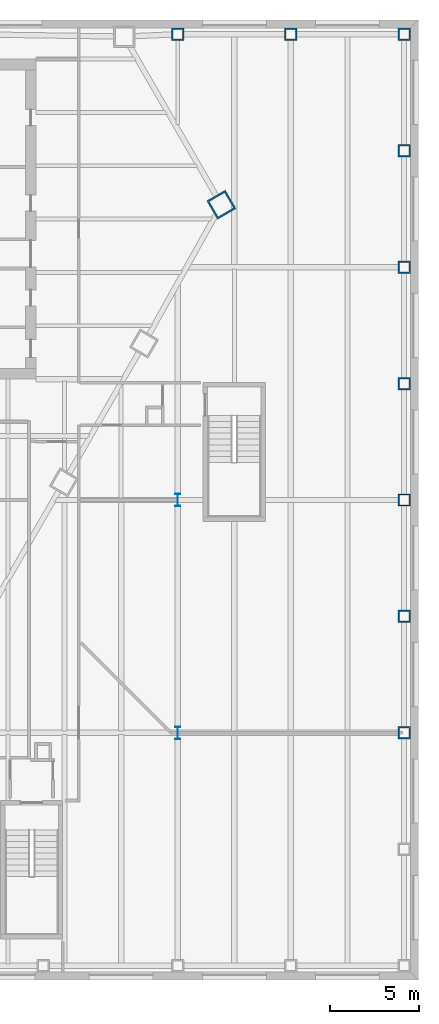
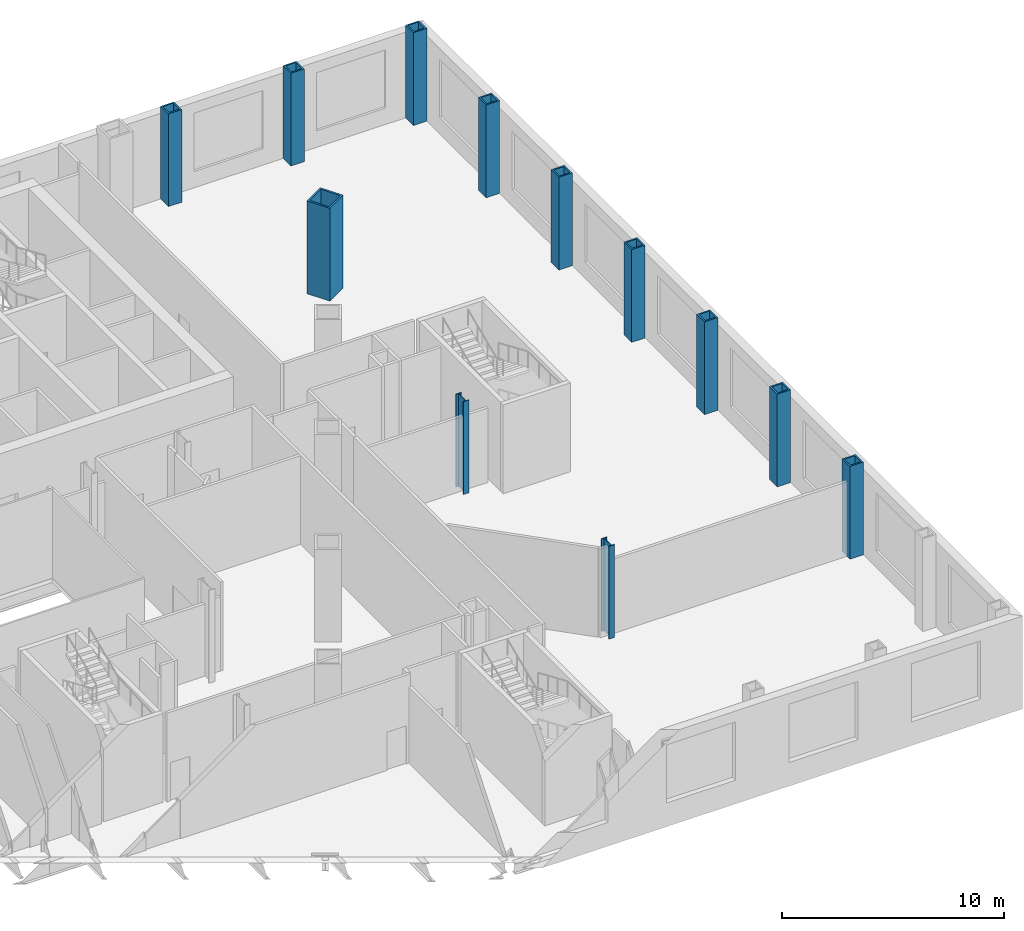
# One storey, part 3 of 21: 12 columns.
"""IFC4 building model written with IfcOpenShell, lengths in metres."""

import ifcopenshell
import ifcopenshell.guid

model = None  # the IFC model being written
_history = None  # IfcOwnerHistory: only IFC2X3 demands one
_inside = {}  # id of a spatial element -> (the spatial element, [elements in it])
_under = {}  # id of a project, library or spatial element -> (it, [spatial elements below it])
_declared = {}  # id of a project -> (the project, [libraries it declares])
_typed = {}  # id of a type object -> (the type object, [elements of that type])
_made_of = {}  # id of a material, layer set ... -> (it, [elements and type objects made of it])


def new_model(schema):
    """Start an empty IFC model of exactly this schema.

    Asked for "IFC4X3", IfcOpenShell would pick the latest addendum, in which some entities
    have other attributes; the version numbers below select the first issue.
    IFC2X3 requires an IfcOwnerHistory on every rooted entity: one is made here for all.
    """
    global model, _history
    if schema == "IFC4X3":
        model = ifcopenshell.file(schema_version=(4, 3, 0, 0))
    else:
        model = ifcopenshell.file(schema=schema)
    _inside.clear()
    _under.clear()
    _declared.clear()
    _typed.clear()
    _made_of.clear()
    _history = None
    if model.schema == "IFC2X3":
        org = make("IfcOrganization", Name="unknown")
        user = make(
            "IfcPersonAndOrganization",
            ThePerson=make("IfcPerson", FamilyName="unknown"),
            TheOrganization=org,
        )
        app = make(
            "IfcApplication",
            ApplicationDeveloper=org,
            Version="unknown",
            ApplicationFullName="unknown",
            ApplicationIdentifier="unknown",
        )
        _history = make(
            "IfcOwnerHistory",
            OwningUser=user,
            OwningApplication=app,
            ChangeAction="ADDED",
            CreationDate=0,
        )
    return model


def make(cls, **values):
    """One entity of the class cls with the attributes given. An attribute that is None is left unset."""
    return model.create_entity(
        cls, **{name: value for name, value in values.items() if value is not None}
    )


def rooted(cls, **values):
    """An entity with a GlobalId (a new one), such as an element, a storey or a relation."""
    return make(cls, GlobalId=ifcopenshell.guid.new(), OwnerHistory=_history, **values)


def si_unit(unit_type, name, prefix=None):
    """IfcSIUnit, for example si_unit("LENGTHUNIT", "METRE", prefix="MILLI")."""
    return make("IfcSIUnit", UnitType=unit_type, Prefix=prefix, Name=name)


def assignment(units):
    """IfcUnitAssignment: the units of a project."""
    return None if units is None else make("IfcUnitAssignment", Units=units)


def point(xyz):
    """IfcCartesianPoint."""
    return None if xyz is None else make("IfcCartesianPoint", Coordinates=xyz)


def direction(xyz):
    """IfcDirection."""
    return None if xyz is None else make("IfcDirection", DirectionRatios=xyz)


def frame(location, z_axis=None, x_axis=None):
    """IfcAxis2Placement3D, a coordinate frame: its origin and axes. An axis left out is left unset."""
    return make(
        "IfcAxis2Placement3D",
        Location=point(location),
        Axis=direction(z_axis),
        RefDirection=direction(x_axis),
    )


def frame_2d(location, x_axis=None):
    """IfcAxis2Placement2D, a coordinate frame in the plane: its origin and x axis."""
    return make(
        "IfcAxis2Placement2D", Location=point(location), RefDirection=direction(x_axis)
    )


def origin():
    """The frame at (0, 0, 0) with its axes left unset."""
    return frame((0.0, 0.0, 0.0))


def origin_2d():
    """The frame at (0, 0) in the plane with its x axis left unset."""
    return frame_2d((0.0, 0.0))


def place(relative_to, where):
    """IfcLocalPlacement: puts the frame where relative to a parent placement (None: the world)."""
    return make(
        "IfcLocalPlacement", PlacementRelTo=relative_to, RelativePlacement=where
    )


def context(
    kind, dimensions, precision=None, world=None, true_north=None, identifier=None
):
    """IfcGeometricRepresentationContext, for example the 3D "Model" context."""
    return make(
        "IfcGeometricRepresentationContext",
        ContextIdentifier=identifier,
        ContextType=kind,
        CoordinateSpaceDimension=dimensions,
        Precision=precision,
        WorldCoordinateSystem=world,
        TrueNorth=true_north,
    )


def subcontext(parent, identifier, kind, view, scale=None):
    """IfcGeometricRepresentationSubContext, for example "Body" below "Model"."""
    return make(
        "IfcGeometricRepresentationSubContext",
        ContextIdentifier=identifier,
        ContextType=kind,
        ParentContext=parent,
        TargetScale=scale,
        TargetView=view,
    )


def project(units=None, contexts=None):
    """IfcProject with its units and contexts."""
    return rooted(
        "IfcProject",
        Name="project",
        RepresentationContexts=contexts,
        UnitsInContext=assignment(units),
    )


def spatial(cls, under=None, at=None, **own):
    """A site, building, storey or space (cls), placed at a placement, below another one or the project."""
    s = rooted(cls, ObjectPlacement=at, **own)
    if under is not None:
        _under.setdefault(under.id(), (under, []))[1].append(s)
    return s


def profile(cls, at=None, kind="AREA", **sizes):
    """A parametric profile (cls). Its sizes go by their IFC names, for example OverallWidth=200.0."""
    return make(cls, ProfileType=kind, Position=at, **sizes)


def hollow_rectangle(**sizes):
    """IfcRectangleHollowProfileDef."""
    return profile("IfcRectangleHollowProfileDef", **sizes)


def i_section(**sizes):
    """IfcIShapeProfileDef."""
    return profile("IfcIShapeProfileDef", **sizes)


def extrude(swept, where, along, depth):
    """IfcExtrudedAreaSolid: the profile swept, set in the frame where, extruded along a direction by depth."""
    return make(
        "IfcExtrudedAreaSolid",
        SweptArea=swept,
        Position=where,
        ExtrudedDirection=direction(along),
        Depth=depth,
    )


def shape(context_of_items, identifier, shape_type, items):
    """IfcShapeRepresentation: the items that make up one representation, for example the "Body"."""
    return make(
        "IfcShapeRepresentation",
        ContextOfItems=context_of_items,
        RepresentationIdentifier=identifier,
        RepresentationType=shape_type,
        Items=items,
    )


def material(Name=None, Category=None):
    """IfcMaterial."""
    return make("IfcMaterial", Name=Name, Category=Category)


def material_profile(
    of_material, cross_section, Name=None, Category=None, Priority=None
):
    """IfcMaterialProfile: a cross section and its material."""
    return make(
        "IfcMaterialProfile",
        Name=Name,
        Material=of_material,
        Profile=cross_section,
        Priority=Priority,
        Category=Category,
    )


def profile_set(profiles, Name=None, composite=None):
    """IfcMaterialProfileSet."""
    return make(
        "IfcMaterialProfileSet",
        Name=Name,
        MaterialProfiles=profiles,
        CompositeProfile=composite,
    )


def made_of(thing, what):
    """Note that an element or type object is made of a material, layer set ...; save() writes the relation."""
    if what is not None:
        _made_of.setdefault(what.id(), (what, []))[1].append(thing)
    return thing


def type_object(cls, material=None, **own):
    """A type object (cls), such as IfcWallType, which elements share."""
    return made_of(rooted(cls, **own), material)


def element(
    cls,
    number,
    at=None,
    inside=None,
    cuts=None,
    type_object=None,
    material=None,
    context=None,
    identifier="Body",
    shape_type=None,
    held_by="IfcProductDefinitionShape",
    body=None,
    shapes=None,
    **own,
):
    """One element of the class cls, such as IfcWall. Its Tag is "e" and its number.

    at: its placement. inside: the storey or other place that contains it. cuts: it is an
    opening in that element (IfcRelVoidsElement). A single representation is given by context,
    identifier, shape_type and body (its items); several are given by shapes. held_by: the class
    of the entity that holds the representations. save() writes the other relations.
    """
    e = rooted(cls, Tag="e%d" % number, ObjectPlacement=at, **own)
    if body is not None:
        shapes = [shape(context, identifier, shape_type, body)]
    if shapes is not None:
        e.Representation = make(held_by, Representations=shapes)
    if inside is not None:
        _inside.setdefault(inside.id(), (inside, []))[1].append(e)
    if cuts is not None:
        rooted(
            "IfcRelVoidsElement", RelatingBuildingElement=cuts, RelatedOpeningElement=e
        )
    if type_object is not None:
        _typed.setdefault(type_object.id(), (type_object, []))[1].append(e)
    return made_of(e, material)


def aggregate(whole, parts):
    """IfcRelAggregates: a whole, such as a stair, and the parts it consists of."""
    return rooted("IfcRelAggregates", RelatingObject=whole, RelatedObjects=parts)


def save(model, path):
    """Write the relations noted so far, then the file.

    IfcRelAggregates (storeys below a building ...), IfcRelContainedInSpatialStructure (elements
    in a storey), IfcRelDefinesByType, IfcRelAssociatesMaterial and IfcRelDeclares: one each for
    every whole, place, type object, material and project.
    """
    for whole, parts in _under.values():
        aggregate(whole, parts)
    for where, things in _inside.values():
        rooted(
            "IfcRelContainedInSpatialStructure",
            RelatedElements=things,
            RelatingStructure=where,
        )
    for kind, things in _typed.values():
        rooted("IfcRelDefinesByType", RelatedObjects=things, RelatingType=kind)
    for what, things in _made_of.values():
        rooted("IfcRelAssociatesMaterial", RelatedObjects=things, RelatingMaterial=what)
    for by, libraries in _declared.values():
        rooted("IfcRelDeclares", RelatingContext=by, RelatedDefinitions=libraries)
    model.write(path)


model = new_model("IFC4")

# Units and contexts
model_context = context("Model", 3, precision=1e-05, world=origin(), true_north=direction((0.0, 1.0)))
body_context = subcontext(model_context, "Body", "Model", "MODEL_VIEW")
ifc_project = project(units=[si_unit("LENGTHUNIT", "METRE"), si_unit("AREAUNIT", "SQUARE_METRE"), si_unit("VOLUMEUNIT", "CUBIC_METRE"), si_unit("PLANEANGLEUNIT", "RADIAN"), si_unit("MASSUNIT", "GRAM", prefix="KILO")], contexts=[model_context])

# Site, building, storey
site_placement = place(None, origin())
site = spatial("IfcSite", under=ifc_project, at=site_placement, CompositionType="ELEMENT")
building_placement = place(site_placement, origin())
building = spatial("IfcBuilding", under=site, at=building_placement, Name="Njiva Tower", CompositionType="ELEMENT")
storey_placement = place(building_placement, frame((0.0, 0.0, 8.4)))
storey = spatial("IfcBuildingStorey", under=building, at=storey_placement, Name="L01", CompositionType="ELEMENT", Elevation=8.4)

# Columns
ifc_material = material(Name="Steel S355 J2", Category="steel")
ifc_material_profile_1 = material_profile(ifc_material, hollow_rectangle(XDim=1.2, YDim=1.2, WallThickness=0.1, at=origin_2d()), Name="BOX 1200x1200x100")
ifc_profile_set_1 = profile_set([ifc_material_profile_1], Name="Steel S355 J2")
column_type_1 = type_object("IfcColumnType", Name="C1 Mega-column BOX 1200x1200x100", PredefinedType="COLUMN", material=ifc_profile_set_1)
column_placement = place(storey_placement, frame((27.923, 9.808, 0.0), z_axis=(0.0, 0.0, 1.0), x_axis=(-0.5, 0.866025403784, 0.0)))
element("IfcColumn", 1, at=column_placement, inside=storey, type_object=column_type_1, Name="Mega-column L01-C18", PredefinedType="COLUMN", context=body_context, shape_type="SweptSolid", body=[
    extrude(hollow_rectangle(XDim=1.2, YDim=1.2, WallThickness=0.1, at=origin_2d()), origin(), (0.0, 0.0, 1.0), 5.1),
])
ifc_material_profile_2 = material_profile(ifc_material, hollow_rectangle(XDim=0.7, YDim=0.7, WallThickness=0.08, at=origin_2d()), Name="BOX 700x700x80")
ifc_profile_set_2 = profile_set([ifc_material_profile_2], Name="Steel S355 J2")
column_type_2 = type_object("IfcColumnType", Name="C3 Podium perimeter column BOX 700x700x80", PredefinedType="COLUMN", material=ifc_profile_set_2)
for number, where, z_axis, x_axis, name in (
    (2, (38.2, -19.9, 0.0), (0.0, 0.0, 1.0), (0.0, 1.0, 0.0), "Podium perimeter column L01-C29"),
    (3, (38.2, -13.35, 0.0), (0.0, 0.0, 1.0), (0.0, 1.0, 0.0), "Podium perimeter column L01-C30"),
    (4, (38.2, -6.8, 0.0), (0.0, 0.0, 1.0), (0.0, 1.0, 0.0), "Podium perimeter column L01-C31"),
    (5, (38.2, -0.25, 0.0), (0.0, 0.0, 1.0), (0.0, 1.0, 0.0), "Podium perimeter column L01-C32"),
    (6, (38.2, 6.3, 0.0), (0.0, 0.0, 1.0), (0.0, 1.0, 0.0), "Podium perimeter column L01-C33"),
    (7, (38.2, 12.85, 0.0), (0.0, 0.0, 1.0), (0.0, 1.0, 0.0), "Podium perimeter column L01-C34"),
    (8, (38.2, 19.4, 0.0), (0.0, 0.0, 1.0), (-1.0, 0.0, 0.0), "Podium perimeter column L01-C35"),
    (9, (31.833, 19.4, 0.0), (0.0, 0.0, 1.0), (-1.0, 0.0, 0.0), "Podium perimeter column L01-C36"),
    (10, (25.467, 19.4, 0.0), (0.0, 0.0, 1.0), (-1.0, 0.0, 0.0), "Podium perimeter column L01-C37"),
):
    element("IfcColumn", number, at=place(storey_placement, frame(where, z_axis=z_axis, x_axis=x_axis)), inside=storey, type_object=column_type_2, Name=name, PredefinedType="COLUMN", context=body_context, shape_type="SweptSolid", body=[
        extrude(hollow_rectangle(XDim=0.7, YDim=0.7, WallThickness=0.08, at=origin_2d()), origin(), (0.0, 0.0, 1.0), 5.1),
    ])
ifc_material_profile_3 = material_profile(ifc_material, i_section(OverallWidth=0.304, OverallDepth=0.716, WebThickness=0.021, FlangeThickness=0.04, at=origin_2d()), Name="HEM 700")
ifc_profile_set_3 = profile_set([ifc_material_profile_3], Name="Steel S355 J2")
column_type_3 = type_object("IfcColumnType", Name="C4 Station column HEM 700", PredefinedType="COLUMN", material=ifc_profile_set_3)
for number, where, z_axis, x_axis, name in (
    (11, (25.467, -6.8, 0.0), (0.0, 0.0, 1.0), (1.0, 0.0, 0.0), "Station column L01-C64"),
    (12, (25.467, -19.9, 0.0), (0.0, 0.0, 1.0), (1.0, 0.0, 0.0), "Station column L01-C65"),
):
    element("IfcColumn", number, at=place(storey_placement, frame(where, z_axis=z_axis, x_axis=x_axis)), inside=storey, type_object=column_type_3, Name=name, PredefinedType="COLUMN", context=body_context, shape_type="SweptSolid", body=[
        extrude(i_section(OverallWidth=0.304, OverallDepth=0.716, WebThickness=0.021, FlangeThickness=0.04, at=origin_2d()), origin(), (0.0, 0.0, 1.0), 5.1),
    ])

save(model, "model.ifc")
